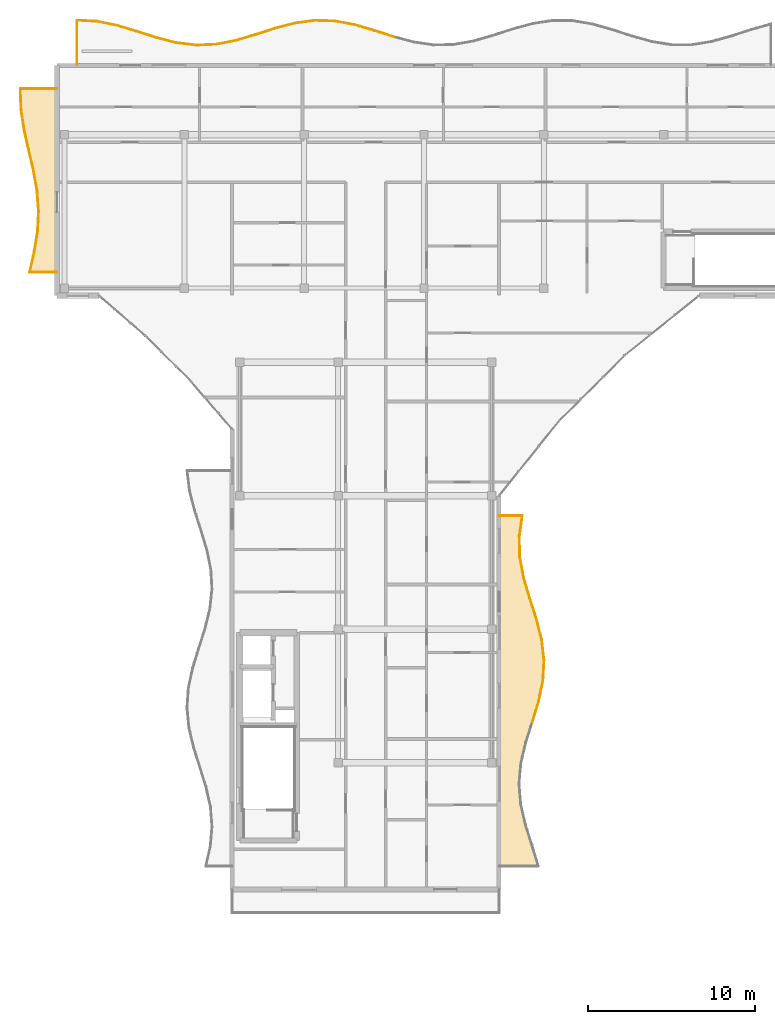
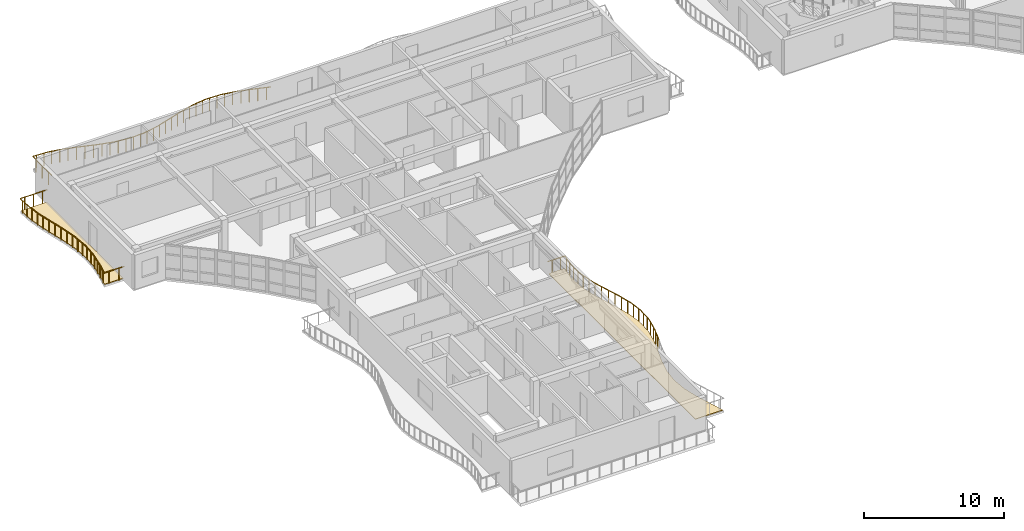
# One storey, part 24 of 30: 39 railings, 2 coverings.
"""IFC4 building model written with IfcOpenShell, lengths in metres."""

import ifcopenshell
import ifcopenshell.guid

model = None  # the IFC model being written
_history = None  # IfcOwnerHistory: only IFC2X3 demands one
_inside = {}  # id of a spatial element -> (the spatial element, [elements in it])
_under = {}  # id of a project, library or spatial element -> (it, [spatial elements below it])
_declared = {}  # id of a project -> (the project, [libraries it declares])
_typed = {}  # id of a type object -> (the type object, [elements of that type])
_made_of = {}  # id of a material, layer set ... -> (it, [elements and type objects made of it])


def new_model(schema):
    """Start an empty IFC model of exactly this schema.

    Asked for "IFC4X3", IfcOpenShell would pick the latest addendum, in which some entities
    have other attributes; the version numbers below select the first issue.
    IFC2X3 requires an IfcOwnerHistory on every rooted entity: one is made here for all.
    """
    global model, _history
    if schema == "IFC4X3":
        model = ifcopenshell.file(schema_version=(4, 3, 0, 0))
    else:
        model = ifcopenshell.file(schema=schema)
    _inside.clear()
    _under.clear()
    _declared.clear()
    _typed.clear()
    _made_of.clear()
    _history = None
    if model.schema == "IFC2X3":
        org = make("IfcOrganization", Name="unknown")
        user = make(
            "IfcPersonAndOrganization",
            ThePerson=make("IfcPerson", FamilyName="unknown"),
            TheOrganization=org,
        )
        app = make(
            "IfcApplication",
            ApplicationDeveloper=org,
            Version="unknown",
            ApplicationFullName="unknown",
            ApplicationIdentifier="unknown",
        )
        _history = make(
            "IfcOwnerHistory",
            OwningUser=user,
            OwningApplication=app,
            ChangeAction="ADDED",
            CreationDate=0,
        )
    return model


def make(cls, **values):
    """One entity of the class cls with the attributes given. An attribute that is None is left unset."""
    return model.create_entity(
        cls, **{name: value for name, value in values.items() if value is not None}
    )


def rooted(cls, **values):
    """An entity with a GlobalId (a new one), such as an element, a storey or a relation."""
    return make(cls, GlobalId=ifcopenshell.guid.new(), OwnerHistory=_history, **values)


def si_unit(unit_type, name, prefix=None):
    """IfcSIUnit, for example si_unit("LENGTHUNIT", "METRE", prefix="MILLI")."""
    return make("IfcSIUnit", UnitType=unit_type, Prefix=prefix, Name=name)


def assignment(units):
    """IfcUnitAssignment: the units of a project."""
    return None if units is None else make("IfcUnitAssignment", Units=units)


def point(xyz):
    """IfcCartesianPoint."""
    return None if xyz is None else make("IfcCartesianPoint", Coordinates=xyz)


def direction(xyz):
    """IfcDirection."""
    return None if xyz is None else make("IfcDirection", DirectionRatios=xyz)


def frame(location, z_axis=None, x_axis=None):
    """IfcAxis2Placement3D, a coordinate frame: its origin and axes. An axis left out is left unset."""
    return make(
        "IfcAxis2Placement3D",
        Location=point(location),
        Axis=direction(z_axis),
        RefDirection=direction(x_axis),
    )


def frame_2d(location, x_axis=None):
    """IfcAxis2Placement2D, a coordinate frame in the plane: its origin and x axis."""
    return make(
        "IfcAxis2Placement2D", Location=point(location), RefDirection=direction(x_axis)
    )


def origin():
    """The frame at (0, 0, 0) with its axes left unset."""
    return frame((0.0, 0.0, 0.0))


def origin_2d():
    """The frame at (0, 0) in the plane with its x axis left unset."""
    return frame_2d((0.0, 0.0))


def place(relative_to, where):
    """IfcLocalPlacement: puts the frame where relative to a parent placement (None: the world)."""
    return make(
        "IfcLocalPlacement", PlacementRelTo=relative_to, RelativePlacement=where
    )


def context(
    kind, dimensions, precision=None, world=None, true_north=None, identifier=None
):
    """IfcGeometricRepresentationContext, for example the 3D "Model" context."""
    return make(
        "IfcGeometricRepresentationContext",
        ContextIdentifier=identifier,
        ContextType=kind,
        CoordinateSpaceDimension=dimensions,
        Precision=precision,
        WorldCoordinateSystem=world,
        TrueNorth=true_north,
    )


def subcontext(parent, identifier, kind, view, scale=None):
    """IfcGeometricRepresentationSubContext, for example "Body" below "Model"."""
    return make(
        "IfcGeometricRepresentationSubContext",
        ContextIdentifier=identifier,
        ContextType=kind,
        ParentContext=parent,
        TargetScale=scale,
        TargetView=view,
    )


def project(units=None, contexts=None):
    """IfcProject with its units and contexts."""
    return rooted(
        "IfcProject",
        Name="project",
        RepresentationContexts=contexts,
        UnitsInContext=assignment(units),
    )


def spatial(cls, under=None, at=None, **own):
    """A site, building, storey or space (cls), placed at a placement, below another one or the project."""
    s = rooted(cls, ObjectPlacement=at, **own)
    if under is not None:
        _under.setdefault(under.id(), (under, []))[1].append(s)
    return s


def polyline(points):
    """IfcPolyline through the points."""
    return make("IfcPolyline", Points=[point(p) for p in points])


def profile(cls, at=None, kind="AREA", **sizes):
    """A parametric profile (cls). Its sizes go by their IFC names, for example OverallWidth=200.0."""
    return make(cls, ProfileType=kind, Position=at, **sizes)


def circle(**sizes):
    """IfcCircleProfileDef."""
    return profile("IfcCircleProfileDef", **sizes)


def outline(outer, holes=None, kind="AREA"):
    """IfcArbitraryClosedProfileDef: a profile drawn as a closed curve; with holes, ...WithVoids."""
    if holes is None:
        return make("IfcArbitraryClosedProfileDef", ProfileType=kind, OuterCurve=outer)
    return make(
        "IfcArbitraryProfileDefWithVoids",
        ProfileType=kind,
        OuterCurve=outer,
        InnerCurves=holes,
    )


def extrude(swept, where, along, depth):
    """IfcExtrudedAreaSolid: the profile swept, set in the frame where, extruded along a direction by depth."""
    return make(
        "IfcExtrudedAreaSolid",
        SweptArea=swept,
        Position=where,
        ExtrudedDirection=direction(along),
        Depth=depth,
    )


def shape(context_of_items, identifier, shape_type, items):
    """IfcShapeRepresentation: the items that make up one representation, for example the "Body"."""
    return make(
        "IfcShapeRepresentation",
        ContextOfItems=context_of_items,
        RepresentationIdentifier=identifier,
        RepresentationType=shape_type,
        Items=items,
    )


def material(Name=None, Category=None):
    """IfcMaterial."""
    return make("IfcMaterial", Name=Name, Category=Category)


def layer(
    of_material, thickness, ventilated=None, Name=None, Category=None, Priority=None
):
    """IfcMaterialLayer: one layer of a wall or slab, of a material (None: an air gap)."""
    return make(
        "IfcMaterialLayer",
        Material=of_material,
        LayerThickness=thickness,
        IsVentilated=ventilated,
        Name=Name,
        Category=Category,
        Priority=Priority,
    )


def layer_set(layers, Name=None):
    """IfcMaterialLayerSet."""
    return make("IfcMaterialLayerSet", MaterialLayers=layers, LayerSetName=Name)


def made_of(thing, what):
    """Note that an element or type object is made of a material, layer set ...; save() writes the relation."""
    if what is not None:
        _made_of.setdefault(what.id(), (what, []))[1].append(thing)
    return thing


def type_object(cls, material=None, **own):
    """A type object (cls), such as IfcWallType, which elements share."""
    return made_of(rooted(cls, **own), material)


def element(
    cls,
    number,
    at=None,
    inside=None,
    cuts=None,
    type_object=None,
    material=None,
    context=None,
    identifier="Body",
    shape_type=None,
    held_by="IfcProductDefinitionShape",
    body=None,
    shapes=None,
    **own,
):
    """One element of the class cls, such as IfcWall. Its Tag is "e" and its number.

    at: its placement. inside: the storey or other place that contains it. cuts: it is an
    opening in that element (IfcRelVoidsElement). A single representation is given by context,
    identifier, shape_type and body (its items); several are given by shapes. held_by: the class
    of the entity that holds the representations. save() writes the other relations.
    """
    e = rooted(cls, Tag="e%d" % number, ObjectPlacement=at, **own)
    if body is not None:
        shapes = [shape(context, identifier, shape_type, body)]
    if shapes is not None:
        e.Representation = make(held_by, Representations=shapes)
    if inside is not None:
        _inside.setdefault(inside.id(), (inside, []))[1].append(e)
    if cuts is not None:
        rooted(
            "IfcRelVoidsElement", RelatingBuildingElement=cuts, RelatedOpeningElement=e
        )
    if type_object is not None:
        _typed.setdefault(type_object.id(), (type_object, []))[1].append(e)
    return made_of(e, material)


def aggregate(whole, parts):
    """IfcRelAggregates: a whole, such as a stair, and the parts it consists of."""
    return rooted("IfcRelAggregates", RelatingObject=whole, RelatedObjects=parts)


def save(model, path):
    """Write the relations noted so far, then the file.

    IfcRelAggregates (storeys below a building ...), IfcRelContainedInSpatialStructure (elements
    in a storey), IfcRelDefinesByType, IfcRelAssociatesMaterial and IfcRelDeclares: one each for
    every whole, place, type object, material and project.
    """
    for whole, parts in _under.values():
        aggregate(whole, parts)
    for where, things in _inside.values():
        rooted(
            "IfcRelContainedInSpatialStructure",
            RelatedElements=things,
            RelatingStructure=where,
        )
    for kind, things in _typed.values():
        rooted("IfcRelDefinesByType", RelatedObjects=things, RelatingType=kind)
    for what, things in _made_of.values():
        rooted("IfcRelAssociatesMaterial", RelatedObjects=things, RelatingMaterial=what)
    for by, libraries in _declared.values():
        rooted("IfcRelDeclares", RelatingContext=by, RelatedDefinitions=libraries)
    model.write(path)


model = new_model("IFC4")

# Units and contexts
model_context = context("Model", 3, precision=1e-05, world=origin(), true_north=direction((0.0, 1.0)))
body_context = subcontext(model_context, "Body", "Model", "MODEL_VIEW")
ifc_project = project(units=[si_unit("LENGTHUNIT", "METRE"), si_unit("AREAUNIT", "SQUARE_METRE"), si_unit("VOLUMEUNIT", "CUBIC_METRE"), si_unit("PLANEANGLEUNIT", "RADIAN"), si_unit("MASSUNIT", "GRAM", prefix="KILO")], contexts=[model_context])

# Site, building, storey
site_placement = place(None, origin())
site = spatial("IfcSite", under=ifc_project, at=site_placement, CompositionType="ELEMENT")
building_placement = place(site_placement, origin())
building = spatial("IfcBuilding", under=site, at=building_placement, Name="Keldmere Railside Commons", CompositionType="ELEMENT")
storey_placement = place(building_placement, frame((0.0, 0.0, 36.159912109375)))
storey = spatial("IfcBuildingStorey", under=building, at=storey_placement, Name="L11", CompositionType="ELEMENT", Elevation=36.159912109375)

# Railings
ifc_material_1 = material(Name="Steel F-24 (S235)", Category="steel")
railing_type = type_object("IfcRailingType", Name="Balcony & Terrace Steel Balustrade 1100", PredefinedType="BALUSTRADE", material=ifc_material_1)
railing_1_placement = place(storey_placement, frame((94.699951171875, 113.800048828125, 0.0)))
element("IfcRailing", 1, at=railing_1_placement, inside=storey, type_object=railing_type, Name="GR-1 GRD-L11-3053", PredefinedType="BALUSTRADE", context=body_context, shape_type="SweptSolid", body=[
    extrude(circle(Radius=0.02392578125, at=origin_2d()), frame((0.0, 0.0, 1.076171875), z_axis=(0.0, 1.0, 0.0), x_axis=(-1.0, 0.0, 0.0)), (0.0, 0.0, 1.0), 2.69580078125),
    extrude(circle(Radius=0.02099609375, at=origin_2d()), frame((0.0, 0.44921875, 0.0)), (0.0, 0.0, 1.0), 1.048095703125),
    extrude(circle(Radius=0.02099609375, at=origin_2d()), frame((0.0, 1.347900390625, 0.0)), (0.0, 0.0, 1.0), 1.048095703125),
    extrude(circle(Radius=0.02099609375, at=origin_2d()), frame((0.0, 2.24658203125, 0.0)), (0.0, 0.0, 1.0), 1.048095703125),
])
railing_2_placement = place(storey_placement, frame((94.699951171875, 116.495849609375, 0.0)))
element("IfcRailing", 2, at=railing_2_placement, inside=storey, type_object=railing_type, Name="GR-1 GRD-L11-3054", PredefinedType="BALUSTRADE", context=body_context, shape_type="SweptSolid", body=[
    extrude(circle(Radius=0.02392578125, at=origin_2d()), frame((0.0, 0.0, 1.076171875), z_axis=(0.998746705706, -0.050050153254, 0.0), x_axis=(0.050050153254, 0.998746705706, 0.0)), (0.0, 0.0, 1.0), 1.190185546875),
    extrude(circle(Radius=0.02099609375, at=origin_2d()), frame((0.297119140625, -0.014892578125, 0.0)), (0.0, 0.0, 1.0), 1.048095703125),
    extrude(circle(Radius=0.02099609375, at=origin_2d()), frame((0.8916015625, -0.044677734375, 0.0)), (0.0, 0.0, 1.0), 1.048095703125),
])
railing_3_placement = place(storey_placement, frame((95.888671875, 116.436279296875, 0.0)))
element("IfcRailing", 3, at=railing_3_placement, inside=storey, type_object=railing_type, Name="GR-1 GRD-L11-3055", PredefinedType="BALUSTRADE", context=body_context, shape_type="SweptSolid", body=[
    extrude(circle(Radius=0.02392578125, at=origin_2d()), frame((0.0, 0.0, 1.076171875), z_axis=(0.980214991853, -0.197935771773, 0.0), x_axis=(0.197935771773, 0.980214991853, 0.0)), (0.0, 0.0, 1.0), 1.21240234375),
    extrude(circle(Radius=0.02099609375, at=origin_2d()), frame((0.297119140625, -0.06005859375, 0.0)), (0.0, 0.0, 1.0), 1.048095703125),
    extrude(circle(Radius=0.02099609375, at=origin_2d()), frame((0.891357421875, -0.179931640625, 0.0)), (0.0, 0.0, 1.0), 1.048095703125),
])
railing_4_placement = place(storey_placement, frame((97.0771484375, 116.1962890625, 0.0)))
element("IfcRailing", 4, at=railing_4_placement, inside=storey, type_object=railing_type, Name="GR-1 GRD-L11-3056", PredefinedType="BALUSTRADE", context=body_context, shape_type="SweptSolid", body=[
    extrude(circle(Radius=0.02392578125, at=origin_2d()), frame((0.0, 0.0, 1.076171875), z_axis=(0.95768539045, -0.287817117138, 0.0), x_axis=(0.287817117138, 0.95768539045, 0.0)), (0.0, 0.0, 1.0), 1.240966796875),
    extrude(circle(Radius=0.02099609375, at=origin_2d()), frame((0.297119140625, -0.08935546875, 0.0)), (0.0, 0.0, 1.0), 1.048095703125),
    extrude(circle(Radius=0.02099609375, at=origin_2d()), frame((0.891357421875, -0.267822265625, 0.0)), (0.0, 0.0, 1.0), 1.048095703125),
])
railing_5_placement = place(storey_placement, frame((98.265625, 115.839111328125, 0.0)))
element("IfcRailing", 5, at=railing_5_placement, inside=storey, type_object=railing_type, Name="GR-1 GRD-L11-3057", PredefinedType="BALUSTRADE", context=body_context, shape_type="SweptSolid", body=[
    extrude(circle(Radius=0.02392578125, at=origin_2d()), frame((0.0, 0.0, 1.076171875), z_axis=(0.952315079657, -0.30511635331, 0.0), x_axis=(0.30511635331, 0.952315079657, 0.0)), (0.0, 0.0, 1.0), 1.248291015625),
    extrude(circle(Radius=0.02099609375, at=origin_2d()), frame((0.297119140625, -0.09521484375, 0.0)), (0.0, 0.0, 1.0), 1.048095703125),
    extrude(circle(Radius=0.02099609375, at=origin_2d()), frame((0.8916015625, -0.28564453125, 0.0)), (0.0, 0.0, 1.0), 1.048095703125),
])
railing_6_placement = place(storey_placement, frame((99.454345703125, 115.458251953125, 0.0)))
element("IfcRailing", 6, at=railing_6_placement, inside=storey, type_object=railing_type, Name="GR-1 GRD-L11-3058", PredefinedType="BALUSTRADE", context=body_context, shape_type="SweptSolid", body=[
    extrude(circle(Radius=0.02392578125, at=origin_2d()), frame((0.0, 0.0, 1.076171875), z_axis=(0.968769359402, -0.247963562411, 0.0), x_axis=(0.247963562411, 0.968769359402, 0.0)), (0.0, 0.0, 1.0), 1.226806640625),
    extrude(circle(Radius=0.02099609375, at=origin_2d()), frame((0.297119140625, -0.076171875, 0.0)), (0.0, 0.0, 1.0), 1.048095703125),
    extrude(circle(Radius=0.02099609375, at=origin_2d()), frame((0.891357421875, -0.22802734375, 0.0)), (0.0, 0.0, 1.0), 1.048095703125),
])
railing_7_placement = place(storey_placement, frame((100.642822265625, 115.154052734375, 0.0)))
element("IfcRailing", 7, at=railing_7_placement, inside=storey, type_object=railing_type, Name="GR-1 GRD-L11-3059", PredefinedType="BALUSTRADE", context=body_context, shape_type="SweptSolid", body=[
    extrude(circle(Radius=0.02392578125, at=origin_2d()), frame((0.0, 0.0, 1.076171875), z_axis=(0.992390372667, -0.123131426683, 0.0), x_axis=(0.123131426683, 0.992390372667, 0.0)), (0.0, 0.0, 1.0), 1.197509765625),
    extrude(circle(Radius=0.02099609375, at=origin_2d()), frame((0.297119140625, -0.036865234375, 0.0)), (0.0, 0.0, 1.0), 1.048095703125),
    extrude(circle(Radius=0.02099609375, at=origin_2d()), frame((0.891357421875, -0.110595703125, 0.0)), (0.0, 0.0, 1.0), 1.048095703125),
])
railing_8_placement = place(storey_placement, frame((101.831298828125, 115.006591796875, 0.0)))
element("IfcRailing", 8, at=railing_8_placement, inside=storey, type_object=railing_type, Name="GR-1 GRD-L11-3060", PredefinedType="BALUSTRADE", context=body_context, shape_type="SweptSolid", body=[
    extrude(circle(Radius=0.02392578125, at=origin_2d()), frame((0.0, 0.0, 1.076171875), z_axis=(0.999182495603, 0.040426977128, 0.0), x_axis=(-0.040426977128, 0.999182495603, 0.0)), (0.0, 0.0, 1.0), 1.189697265625),
    extrude(circle(Radius=0.02099609375, at=origin_2d()), frame((0.297119140625, 0.011962890625, 0.0)), (0.0, 0.0, 1.0), 1.048095703125),
    extrude(circle(Radius=0.02099609375, at=origin_2d()), frame((0.8916015625, 0.0361328125, 0.0)), (0.0, 0.0, 1.0), 1.048095703125),
])
railing_9_placement = place(storey_placement, frame((103.02001953125, 115.0546875, 0.0)))
element("IfcRailing", 9, at=railing_9_placement, inside=storey, type_object=railing_type, Name="GR-1 GRD-L11-3061", PredefinedType="BALUSTRADE", context=body_context, shape_type="SweptSolid", body=[
    extrude(circle(Radius=0.02392578125, at=origin_2d()), frame((0.0, 0.0, 1.076171875), z_axis=(0.981598594772, 0.190956012582, 0.0), x_axis=(-0.190956012582, 0.981598594772, 0.0)), (0.0, 0.0, 1.0), 1.210693359375),
    extrude(circle(Radius=0.02099609375, at=origin_2d()), frame((0.297119140625, 0.057861328125, 0.0)), (0.0, 0.0, 1.0), 1.048095703125),
    extrude(circle(Radius=0.02099609375, at=origin_2d()), frame((0.891357421875, 0.17333984375, 0.0)), (0.0, 0.0, 1.0), 1.048095703125),
])
railing_10_placement = place(storey_placement, frame((104.20849609375, 115.285888671875, 0.0)))
element("IfcRailing", 10, at=railing_10_placement, inside=storey, type_object=railing_type, Name="GR-1 GRD-L11-3062", PredefinedType="BALUSTRADE", context=body_context, shape_type="SweptSolid", body=[
    extrude(circle(Radius=0.02392578125, at=origin_2d()), frame((0.0, 0.0, 1.076171875), z_axis=(0.958619164834, 0.284691581916, 0.0), x_axis=(-0.284691581916, 0.958619164834, 0.0)), (0.0, 0.0, 1.0), 1.239990234375),
    extrude(circle(Radius=0.02099609375, at=origin_2d()), frame((0.297119140625, 0.08837890625, 0.0)), (0.0, 0.0, 1.0), 1.048095703125),
    extrude(circle(Radius=0.02099609375, at=origin_2d()), frame((0.8916015625, 0.2646484375, 0.0)), (0.0, 0.0, 1.0), 1.048095703125),
])
railing_11_placement = place(storey_placement, frame((105.397216796875, 115.638916015625, 0.0)))
element("IfcRailing", 11, at=railing_11_placement, inside=storey, type_object=railing_type, Name="GR-1 GRD-L11-3063", PredefinedType="BALUSTRADE", context=body_context, shape_type="SweptSolid", body=[
    extrude(circle(Radius=0.02392578125, at=origin_2d()), frame((0.0, 0.0, 1.076171875), z_axis=(0.952012281664, 0.306059823501, 0.0), x_axis=(-0.306059823501, 0.952012281664, 0.0)), (0.0, 0.0, 1.0), 1.248291015625),
    extrude(circle(Radius=0.02099609375, at=origin_2d()), frame((0.297119140625, 0.095458984375, 0.0)), (0.0, 0.0, 1.0), 1.048095703125),
    extrude(circle(Radius=0.02099609375, at=origin_2d()), frame((0.891357421875, 0.28662109375, 0.0)), (0.0, 0.0, 1.0), 1.048095703125),
])
railing_12_placement = place(storey_placement, frame((106.585693359375, 116.02099609375, 0.0)))
element("IfcRailing", 12, at=railing_12_placement, inside=storey, type_object=railing_type, Name="GR-1 GRD-L11-3064", PredefinedType="BALUSTRADE", context=body_context, shape_type="SweptSolid", body=[
    extrude(circle(Radius=0.02392578125, at=origin_2d()), frame((0.0, 0.0, 1.076171875), z_axis=(0.9674313303, 0.253133603369, 0.0), x_axis=(-0.253133603369, 0.9674313303, 0.0)), (0.0, 0.0, 1.0), 1.228759765625),
    extrude(circle(Radius=0.02099609375, at=origin_2d()), frame((0.297119140625, 0.07763671875, 0.0)), (0.0, 0.0, 1.0), 1.048095703125),
    extrude(circle(Radius=0.02099609375, at=origin_2d()), frame((0.8916015625, 0.2333984375, 0.0)), (0.0, 0.0, 1.0), 1.048095703125),
])
railing_13_placement = place(storey_placement, frame((107.7744140625, 116.33203125, 0.0)))
element("IfcRailing", 13, at=railing_13_placement, inside=storey, type_object=railing_type, Name="GR-1 GRD-L11-3065", PredefinedType="BALUSTRADE", context=body_context, shape_type="SweptSolid", body=[
    extrude(circle(Radius=0.02392578125, at=origin_2d()), frame((0.0, 0.0, 1.076171875), z_axis=(0.991282946379, 0.131750219044, 0.0), x_axis=(-0.131750219044, 0.991282946379, 0.0)), (0.0, 0.0, 1.0), 1.198974609375),
    extrude(circle(Radius=0.02099609375, at=origin_2d()), frame((0.297119140625, 0.03955078125, 0.0)), (0.0, 0.0, 1.0), 1.048095703125),
    extrude(circle(Radius=0.02099609375, at=origin_2d()), frame((0.891357421875, 0.118408203125, 0.0)), (0.0, 0.0, 1.0), 1.048095703125),
])
railing_14_placement = place(storey_placement, frame((108.962890625, 116.489990234375, 0.0)))
element("IfcRailing", 14, at=railing_14_placement, inside=storey, type_object=railing_type, Name="GR-1 GRD-L11-3066", PredefinedType="BALUSTRADE", context=body_context, shape_type="SweptSolid", body=[
    extrude(circle(Radius=0.02392578125, at=origin_2d()), frame((0.0, 0.0, 1.076171875), z_axis=(0.999525602649, -0.030798857929, 0.0), x_axis=(0.030798857929, 0.999525602649, 0.0)), (0.0, 0.0, 1.0), 1.18896484375),
    extrude(circle(Radius=0.02099609375, at=origin_2d()), frame((0.297119140625, -0.00927734375, 0.0)), (0.0, 0.0, 1.0), 1.048095703125),
    extrude(circle(Radius=0.02099609375, at=origin_2d()), frame((0.891357421875, -0.02734375, 0.0)), (0.0, 0.0, 1.0), 1.048095703125),
])
railing_15_placement = place(storey_placement, frame((110.1513671875, 116.453369140625, 0.0)))
element("IfcRailing", 15, at=railing_15_placement, inside=storey, type_object=railing_type, Name="GR-1 GRD-L11-3067", PredefinedType="BALUSTRADE", context=body_context, shape_type="SweptSolid", body=[
    extrude(circle(Radius=0.02392578125, at=origin_2d()), frame((0.0, 0.0, 1.076171875), z_axis=(0.983052282531, -0.183325420525, 0.0), x_axis=(0.183325420525, 0.983052282531, 0.0)), (0.0, 0.0, 1.0), 1.209228515625),
    extrude(circle(Radius=0.02099609375, at=origin_2d()), frame((0.297119140625, -0.055419921875, 0.0)), (0.0, 0.0, 1.0), 1.048095703125),
    extrude(circle(Radius=0.02099609375, at=origin_2d()), frame((0.8916015625, -0.166259765625, 0.0)), (0.0, 0.0, 1.0), 1.048095703125),
])
railing_16_placement = place(storey_placement, frame((111.340087890625, 116.231689453125, 0.0)))
element("IfcRailing", 16, at=railing_16_placement, inside=storey, type_object=railing_type, Name="GR-1 GRD-L11-3068", PredefinedType="BALUSTRADE", context=body_context, shape_type="SweptSolid", body=[
    extrude(circle(Radius=0.02392578125, at=origin_2d()), frame((0.0, 0.0, 1.076171875), z_axis=(0.959619369608, -0.28130173386, 0.0), x_axis=(0.28130173386, 0.959619369608, 0.0)), (0.0, 0.0, 1.0), 1.238525390625),
    extrude(circle(Radius=0.02099609375, at=origin_2d()), frame((0.297119140625, -0.087158203125, 0.0)), (0.0, 0.0, 1.0), 1.048095703125),
    extrude(circle(Radius=0.02099609375, at=origin_2d()), frame((0.891357421875, -0.26123046875, 0.0)), (0.0, 0.0, 1.0), 1.048095703125),
])
railing_17_placement = place(storey_placement, frame((112.528564453125, 115.88330078125, 0.0)))
element("IfcRailing", 17, at=railing_17_placement, inside=storey, type_object=railing_type, Name="GR-1 GRD-L11-3069", PredefinedType="BALUSTRADE", context=body_context, shape_type="SweptSolid", body=[
    extrude(circle(Radius=0.02392578125, at=origin_2d()), frame((0.0, 0.0, 1.076171875), z_axis=(0.951727042699, -0.306945656746, 0.0), x_axis=(0.306945656746, 0.951727042699, 0.0)), (0.0, 0.0, 1.0), 1.248779296875),
    extrude(circle(Radius=0.02099609375, at=origin_2d()), frame((0.297119140625, -0.095703125, 0.0)), (0.0, 0.0, 1.0), 1.048095703125),
    extrude(circle(Radius=0.02099609375, at=origin_2d()), frame((0.891357421875, -0.28759765625, 0.0)), (0.0, 0.0, 1.0), 1.048095703125),
])
railing_18_placement = place(storey_placement, frame((121.992431640625, 74.447021484375, 0.0)))
element("IfcRailing", 18, at=railing_18_placement, inside=storey, type_object=railing_type, Name="GR-1 GRD-L11-3098", PredefinedType="BALUSTRADE", context=body_context, shape_type="SweptSolid", body=[
    extrude(circle(Radius=0.02392578125, at=origin_2d()), frame((0.0, 0.0, 1.076171875), z_axis=(0.292890564169, 0.956145970771, 0.0), x_axis=(-0.956145970771, 0.292890564169, 0.0)), (0.0, 0.0, 1.0), 1.2919921875),
    extrude(circle(Radius=0.02099609375, at=origin_2d()), frame((0.0947265625, 0.308837890625, 0.0)), (0.0, 0.0, 1.0), 1.048095703125),
    extrude(circle(Radius=0.02099609375, at=origin_2d()), frame((0.28369140625, 0.926513671875, 0.0)), (0.0, 0.0, 1.0), 1.048095703125),
])
railing_19_placement = place(storey_placement, frame((122.370849609375, 75.682373046875, 0.0)))
element("IfcRailing", 19, at=railing_19_placement, inside=storey, type_object=railing_type, Name="GR-1 GRD-L11-3099", PredefinedType="BALUSTRADE", context=body_context, shape_type="SweptSolid", body=[
    extrude(circle(Radius=0.02392578125, at=origin_2d()), frame((0.0, 0.0, 1.076171875), z_axis=(0.20525967752, 0.978707548139, 0.0), x_axis=(-0.978707548139, 0.20525967752, 0.0)), (0.0, 0.0, 1.0), 1.261962890625),
    extrude(circle(Radius=0.02099609375, at=origin_2d()), frame((0.064697265625, 0.308837890625, 0.0)), (0.0, 0.0, 1.0), 1.048095703125),
    extrude(circle(Radius=0.02099609375, at=origin_2d()), frame((0.1943359375, 0.92626953125, 0.0)), (0.0, 0.0, 1.0), 1.048095703125),
])
railing_20_placement = place(storey_placement, frame((122.6298828125, 76.91748046875, 0.0)))
element("IfcRailing", 20, at=railing_20_placement, inside=storey, type_object=railing_type, Name="GR-1 GRD-L11-3100", PredefinedType="BALUSTRADE", context=body_context, shape_type="SweptSolid", body=[
    extrude(circle(Radius=0.02392578125, at=origin_2d()), frame((0.0, 0.0, 1.076171875), z_axis=(0.053480665589, 0.998568885159, 0.0), x_axis=(-0.998568885159, 0.053480665589, 0.0)), (0.0, 0.0, 1.0), 1.237060546875),
    extrude(circle(Radius=0.02099609375, at=origin_2d()), frame((0.0166015625, 0.308837890625, 0.0)), (0.0, 0.0, 1.0), 1.048095703125),
    extrude(circle(Radius=0.02099609375, at=origin_2d()), frame((0.049560546875, 0.926513671875, 0.0)), (0.0, 0.0, 1.0), 1.048095703125),
])
railing_21_placement = place(storey_placement, frame((122.696044921875, 78.15283203125, 0.0)))
element("IfcRailing", 21, at=railing_21_placement, inside=storey, type_object=railing_type, Name="GR-1 GRD-L11-3101", PredefinedType="BALUSTRADE", context=body_context, shape_type="SweptSolid", body=[
    extrude(circle(Radius=0.02392578125, at=origin_2d()), frame((0.0, 0.0, 1.076171875), z_axis=(-0.116784307196, 0.993157301535, 0.0), x_axis=(-0.993157301535, -0.116784307196, 0.0)), (0.0, 0.0, 1.0), 1.243896484375),
    extrude(circle(Radius=0.02099609375, at=origin_2d()), frame((-0.036376953125, 0.308837890625, 0.0)), (0.0, 0.0, 1.0), 1.048095703125),
    extrude(circle(Radius=0.02099609375, at=origin_2d()), frame((-0.10888671875, 0.926513671875, 0.0)), (0.0, 0.0, 1.0), 1.048095703125),
])
railing_22_placement = place(storey_placement, frame((122.55078125, 79.38818359375, 0.0)))
element("IfcRailing", 22, at=railing_22_placement, inside=storey, type_object=railing_type, Name="GR-1 GRD-L11-3102", PredefinedType="BALUSTRADE", context=body_context, shape_type="SweptSolid", body=[
    extrude(circle(Radius=0.02392578125, at=origin_2d()), frame((0.0, 0.0, 1.076171875), z_axis=(-0.24757829663, 0.968867889363, 0.0), x_axis=(-0.968867889363, -0.24757829663, 0.0)), (0.0, 0.0, 1.0), 1.275146484375),
    extrude(circle(Radius=0.02099609375, at=origin_2d()), frame((-0.078857421875, 0.308837890625, 0.0)), (0.0, 0.0, 1.0), 1.048095703125),
    extrude(circle(Radius=0.02099609375, at=origin_2d()), frame((-0.23681640625, 0.926513671875, 0.0)), (0.0, 0.0, 1.0), 1.048095703125),
])
railing_23_placement = place(storey_placement, frame((122.235107421875, 80.62353515625, 0.0)))
element("IfcRailing", 23, at=railing_23_placement, inside=storey, type_object=railing_type, Name="GR-1 GRD-L11-3103", PredefinedType="BALUSTRADE", context=body_context, shape_type="SweptSolid", body=[
    extrude(circle(Radius=0.02392578125, at=origin_2d()), frame((0.0, 0.0, 1.076171875), z_axis=(-0.305594950601, 0.952161607169, 0.0), x_axis=(-0.952161607169, -0.305594950601, 0.0)), (0.0, 0.0, 1.0), 1.29736328125),
    extrude(circle(Radius=0.02099609375, at=origin_2d()), frame((-0.09912109375, 0.308837890625, 0.0)), (0.0, 0.0, 1.0), 1.048095703125),
    extrude(circle(Radius=0.02099609375, at=origin_2d()), frame((-0.29736328125, 0.926513671875, 0.0)), (0.0, 0.0, 1.0), 1.048095703125),
])
railing_24_placement = place(storey_placement, frame((121.838623046875, 81.85888671875, 0.0)))
element("IfcRailing", 24, at=railing_24_placement, inside=storey, type_object=railing_type, Name="GR-1 GRD-L11-3104", PredefinedType="BALUSTRADE", context=body_context, shape_type="SweptSolid", body=[
    extrude(circle(Radius=0.02392578125, at=origin_2d()), frame((0.0, 0.0, 1.076171875), z_axis=(-0.28339765149, 0.959002487551, 0.0), x_axis=(-0.959002487551, -0.28339765149, 0.0)), (0.0, 0.0, 1.0), 1.287841796875),
    extrude(circle(Radius=0.02099609375, at=origin_2d()), frame((-0.09130859375, 0.308837890625, 0.0)), (0.0, 0.0, 1.0), 1.048095703125),
    extrude(circle(Radius=0.02099609375, at=origin_2d()), frame((-0.273681640625, 0.92626953125, 0.0)), (0.0, 0.0, 1.0), 1.048095703125),
])
railing_25_placement = place(storey_placement, frame((121.4736328125, 83.093994140625, 0.0)))
element("IfcRailing", 25, at=railing_25_placement, inside=storey, type_object=railing_type, Name="GR-1 GRD-L11-3105", PredefinedType="BALUSTRADE", context=body_context, shape_type="SweptSolid", body=[
    extrude(circle(Radius=0.02392578125, at=origin_2d()), frame((0.0, 0.0, 1.076171875), z_axis=(-0.182833670362, 0.983143859759, 0.0), x_axis=(-0.983143859759, -0.182833670362, 0.0)), (0.0, 0.0, 1.0), 1.256591796875),
    extrude(circle(Radius=0.02099609375, at=origin_2d()), frame((-0.057373046875, 0.308837890625, 0.0)), (0.0, 0.0, 1.0), 1.048095703125),
    extrude(circle(Radius=0.02099609375, at=origin_2d()), frame((-0.17236328125, 0.926513671875, 0.0)), (0.0, 0.0, 1.0), 1.048095703125),
])
railing_26_placement = place(storey_placement, frame((121.243896484375, 84.329345703125, 0.0)))
element("IfcRailing", 26, at=railing_26_placement, inside=storey, type_object=railing_type, Name="GR-1 GRD-L11-3106", PredefinedType="BALUSTRADE", context=body_context, shape_type="SweptSolid", body=[
    extrude(circle(Radius=0.02392578125, at=origin_2d()), frame((0.0, 0.0, 1.076171875), z_axis=(-0.024103666929, 0.999709464415, 0.0), x_axis=(-0.999709464415, -0.024103666929, 0.0)), (0.0, 0.0, 1.0), 1.235595703125),
    extrude(circle(Radius=0.02099609375, at=origin_2d()), frame((-0.00732421875, 0.308837890625, 0.0)), (0.0, 0.0, 1.0), 1.048095703125),
    extrude(circle(Radius=0.02099609375, at=origin_2d()), frame((-0.0224609375, 0.926513671875, 0.0)), (0.0, 0.0, 1.0), 1.048095703125),
])
railing_27_placement = place(storey_placement, frame((121.214111328125, 85.564697265625, 0.0)))
element("IfcRailing", 27, at=railing_27_placement, inside=storey, type_object=railing_type, Name="GR-1 GRD-L11-3107", PredefinedType="BALUSTRADE", context=body_context, shape_type="SweptSolid", body=[
    extrude(circle(Radius=0.02392578125, at=origin_2d()), frame((0.0, 0.0, 1.076171875), z_axis=(0.14355677643, 0.989642082746, 0.0), x_axis=(-0.989642082746, 0.14355677643, 0.0)), (0.0, 0.0, 1.0), 1.248291015625),
    extrude(circle(Radius=0.02099609375, at=origin_2d()), frame((0.044921875, 0.308837890625, 0.0)), (0.0, 0.0, 1.0), 1.048095703125),
    extrude(circle(Radius=0.02099609375, at=origin_2d()), frame((0.13427734375, 0.926513671875, 0.0)), (0.0, 0.0, 1.0), 1.048095703125),
])
railing_28_placement = place(storey_placement, frame((121.393310546875, 86.800048828125, 0.0)))
element("IfcRailing", 28, at=railing_28_placement, inside=storey, type_object=railing_type, Name="GR-1 GRD-L11-3108", PredefinedType="BALUSTRADE", context=body_context, shape_type="SweptSolid", body=[
    extrude(circle(Radius=0.02392578125, at=origin_2d()), frame((0.0, 0.0, 1.076171875), z_axis=(-1.0, 0.0, 0.0), x_axis=(0.0, -1.0, 0.0)), (0.0, 0.0, 1.0), 1.393310546875),
    extrude(circle(Radius=0.02099609375, at=origin_2d()), frame((-0.348388671875, 0.0, 0.0)), (0.0, 0.0, 1.0), 1.048095703125),
    extrude(circle(Radius=0.02099609375, at=origin_2d()), frame((-1.044921875, 0.0, 0.0)), (0.0, 0.0, 1.0), 1.048095703125),
])
railing_29_placement = place(storey_placement, frame((93.5, 101.39990234375, 0.0)))
element("IfcRailing", 29, at=railing_29_placement, inside=storey, type_object=railing_type, Name="GR-1 GRD-L11-3142", PredefinedType="BALUSTRADE", context=body_context, shape_type="SweptSolid", body=[
    extrude(circle(Radius=0.02392578125, at=origin_2d()), frame((0.0, 0.0, 1.076171875), z_axis=(-1.0, 0.0, 0.0), x_axis=(0.0, -1.0, 0.0)), (0.0, 0.0, 1.0), 1.635986328125),
    extrude(circle(Radius=0.02099609375, at=origin_2d()), frame((-0.408935546875, 0.0, 0.0)), (0.0, 0.0, 1.0), 1.048095703125),
    extrude(circle(Radius=0.02099609375, at=origin_2d()), frame((-1.22705078125, 0.0, 0.0)), (0.0, 0.0, 1.0), 1.048095703125),
])
railing_30_placement = place(storey_placement, frame((91.864013671875, 101.39990234375, 0.0)))
element("IfcRailing", 30, at=railing_30_placement, inside=storey, type_object=railing_type, Name="GR-1 GRD-L11-3143", PredefinedType="BALUSTRADE", context=body_context, shape_type="SweptSolid", body=[
    extrude(circle(Radius=0.02392578125, at=origin_2d()), frame((0.0, 0.0, 1.076171875), z_axis=(0.221444321922, 0.975173016592, 0.0), x_axis=(-0.975173016592, 0.221444321922, 0.0)), (0.0, 0.0, 1.0), 1.25341796875),
    extrude(circle(Radius=0.02099609375, at=origin_2d()), frame((0.0693359375, 0.3056640625, 0.0)), (0.0, 0.0, 1.0), 1.048095703125),
    extrude(circle(Radius=0.02099609375, at=origin_2d()), frame((0.208251953125, 0.916748046875, 0.0)), (0.0, 0.0, 1.0), 1.048095703125),
])
railing_31_placement = place(storey_placement, frame((92.1416015625, 102.622314453125, 0.0)))
element("IfcRailing", 31, at=railing_31_placement, inside=storey, type_object=railing_type, Name="GR-1 GRD-L11-3144", PredefinedType="BALUSTRADE", context=body_context, shape_type="SweptSolid", body=[
    extrude(circle(Radius=0.02392578125, at=origin_2d()), frame((0.0, 0.0, 1.076171875), z_axis=(0.158767358593, 0.987316021264, 0.0), x_axis=(-0.987316021264, 0.158767358593, 0.0)), (0.0, 0.0, 1.0), 1.23779296875),
    extrude(circle(Radius=0.02099609375, at=origin_2d()), frame((0.049072265625, 0.3056640625, 0.0)), (0.0, 0.0, 1.0), 1.048095703125),
    extrude(circle(Radius=0.02099609375, at=origin_2d()), frame((0.1474609375, 0.91650390625, 0.0)), (0.0, 0.0, 1.0), 1.048095703125),
])
railing_32_placement = place(storey_placement, frame((92.338134765625, 103.844482421875, 0.0)))
element("IfcRailing", 32, at=railing_32_placement, inside=storey, type_object=railing_type, Name="GR-1 GRD-L11-3145", PredefinedType="BALUSTRADE", context=body_context, shape_type="SweptSolid", body=[
    extrude(circle(Radius=0.02392578125, at=origin_2d()), frame((0.0, 0.0, 1.076171875), z_axis=(0.04987791262, 0.998755322305, 0.0), x_axis=(-0.998755322305, 0.04987791262, 0.0)), (0.0, 0.0, 1.0), 1.2236328125),
    extrude(circle(Radius=0.02099609375, at=origin_2d()), frame((0.01513671875, 0.3056640625, 0.0)), (0.0, 0.0, 1.0), 1.048095703125),
    extrude(circle(Radius=0.02099609375, at=origin_2d()), frame((0.0458984375, 0.91650390625, 0.0)), (0.0, 0.0, 1.0), 1.048095703125),
])
railing_33_placement = place(storey_placement, frame((92.399169921875, 105.066650390625, 0.0)))
element("IfcRailing", 33, at=railing_33_placement, inside=storey, type_object=railing_type, Name="GR-1 GRD-L11-3146", PredefinedType="BALUSTRADE", context=body_context, shape_type="SweptSolid", body=[
    extrude(circle(Radius=0.02392578125, at=origin_2d()), frame((0.0, 0.0, 1.076171875), z_axis=(-0.074700808383, 0.997205991371, 0.0), x_axis=(-0.997205991371, -0.074700808383, 0.0)), (0.0, 0.0, 1.0), 1.2255859375),
    extrude(circle(Radius=0.02099609375, at=origin_2d()), frame((-0.02294921875, 0.3056640625, 0.0)), (0.0, 0.0, 1.0), 1.048095703125),
    extrude(circle(Radius=0.02099609375, at=origin_2d()), frame((-0.068603515625, 0.91650390625, 0.0)), (0.0, 0.0, 1.0), 1.048095703125),
])
railing_34_placement = place(storey_placement, frame((92.3076171875, 106.288818359375, 0.0)))
element("IfcRailing", 34, at=railing_34_placement, inside=storey, type_object=railing_type, Name="GR-1 GRD-L11-3147", PredefinedType="BALUSTRADE", context=body_context, shape_type="SweptSolid", body=[
    extrude(circle(Radius=0.02392578125, at=origin_2d()), frame((0.0, 0.0, 1.076171875), z_axis=(-0.175994812068, 0.984391094091, 0.0), x_axis=(-0.984391094091, -0.175994812068, 0.0)), (0.0, 0.0, 1.0), 1.241455078125),
    extrude(circle(Radius=0.02099609375, at=origin_2d()), frame((-0.0546875, 0.3056640625, 0.0)), (0.0, 0.0, 1.0), 1.048095703125),
    extrude(circle(Radius=0.02099609375, at=origin_2d()), frame((-0.163818359375, 0.91650390625, 0.0)), (0.0, 0.0, 1.0), 1.048095703125),
])
railing_35_placement = place(storey_placement, frame((92.089111328125, 107.510986328125, 0.0)))
element("IfcRailing", 35, at=railing_35_placement, inside=storey, type_object=railing_type, Name="GR-1 GRD-L11-3148", PredefinedType="BALUSTRADE", context=body_context, shape_type="SweptSolid", body=[
    extrude(circle(Radius=0.02392578125, at=origin_2d()), frame((0.0, 0.0, 1.076171875), z_axis=(-0.226989805422, 0.973897134319, 0.0), x_axis=(-0.973897134319, -0.226989805422, 0.0)), (0.0, 0.0, 1.0), 1.255126953125),
    extrude(circle(Radius=0.02099609375, at=origin_2d()), frame((-0.0712890625, 0.3056640625, 0.0)), (0.0, 0.0, 1.0), 1.048095703125),
    extrude(circle(Radius=0.02099609375, at=origin_2d()), frame((-0.213623046875, 0.916748046875, 0.0)), (0.0, 0.0, 1.0), 1.048095703125),
])
railing_36_placement = place(storey_placement, frame((91.80419921875, 108.7333984375, 0.0)))
element("IfcRailing", 36, at=railing_36_placement, inside=storey, type_object=railing_type, Name="GR-1 GRD-L11-3149", PredefinedType="BALUSTRADE", context=body_context, shape_type="SweptSolid", body=[
    extrude(circle(Radius=0.02392578125, at=origin_2d()), frame((0.0, 0.0, 1.076171875), z_axis=(-0.217405271418, 0.976081424861, 0.0), x_axis=(-0.976081424861, -0.217405271418, 0.0)), (0.0, 0.0, 1.0), 1.252197265625),
    extrude(circle(Radius=0.02099609375, at=origin_2d()), frame((-0.068115234375, 0.3056640625, 0.0)), (0.0, 0.0, 1.0), 1.048095703125),
    extrude(circle(Radius=0.02099609375, at=origin_2d()), frame((-0.2041015625, 0.91650390625, 0.0)), (0.0, 0.0, 1.0), 1.048095703125),
])
railing_37_placement = place(storey_placement, frame((91.531982421875, 109.95556640625, 0.0)))
element("IfcRailing", 37, at=railing_37_placement, inside=storey, type_object=railing_type, Name="GR-1 GRD-L11-3150", PredefinedType="BALUSTRADE", context=body_context, shape_type="SweptSolid", body=[
    extrude(circle(Radius=0.02392578125, at=origin_2d()), frame((0.0, 0.0, 1.076171875), z_axis=(-0.148939300949, 0.988846340254, 0.0), x_axis=(-0.988846340254, -0.148939300949, 0.0)), (0.0, 0.0, 1.0), 1.23583984375),
    extrude(circle(Radius=0.02099609375, at=origin_2d()), frame((-0.0458984375, 0.3056640625, 0.0)), (0.0, 0.0, 1.0), 1.048095703125),
    extrude(circle(Radius=0.02099609375, at=origin_2d()), frame((-0.13818359375, 0.91650390625, 0.0)), (0.0, 0.0, 1.0), 1.048095703125),
])
railing_38_placement = place(storey_placement, frame((91.347900390625, 111.177734375, 0.0)))
element("IfcRailing", 38, at=railing_38_placement, inside=storey, type_object=railing_type, Name="GR-1 GRD-L11-3151", PredefinedType="BALUSTRADE", context=body_context, shape_type="SweptSolid", body=[
    extrude(circle(Radius=0.02392578125, at=origin_2d()), frame((0.0, 0.0, 1.076171875), z_axis=(-0.036332368478, 0.999339761543, 0.0), x_axis=(-0.999339761543, -0.036332368478, 0.0)), (0.0, 0.0, 1.0), 1.222900390625),
    extrude(circle(Radius=0.02099609375, at=origin_2d()), frame((-0.01123046875, 0.3056640625, 0.0)), (0.0, 0.0, 1.0), 1.048095703125),
    extrude(circle(Radius=0.02099609375, at=origin_2d()), frame((-0.033203125, 0.91650390625, 0.0)), (0.0, 0.0, 1.0), 1.048095703125),
])
railing_39_placement = place(storey_placement, frame((91.303466796875, 112.39990234375, 0.0)))
element("IfcRailing", 39, at=railing_39_placement, inside=storey, type_object=railing_type, Name="GR-1 GRD-L11-3152", PredefinedType="BALUSTRADE", context=body_context, shape_type="SweptSolid", body=[
    extrude(circle(Radius=0.02392578125, at=origin_2d()), frame((0.0, 0.0, 1.076171875), z_axis=(1.0, 0.0, 0.0), x_axis=(0.0, 1.0, 0.0)), (0.0, 0.0, 1.0), 2.196533203125),
    extrude(circle(Radius=0.02099609375, at=origin_2d()), frame((0.3662109375, 0.0, 0.0)), (0.0, 0.0, 1.0), 1.048095703125),
    extrude(circle(Radius=0.02099609375, at=origin_2d()), frame((1.09814453125, 0.0, 0.0)), (0.0, 0.0, 1.0), 1.048095703125),
    extrude(circle(Radius=0.02099609375, at=origin_2d()), frame((1.83056640625, 0.0, 0.0)), (0.0, 0.0, 1.0), 1.048095703125),
])

# Coverings
ifc_material_2 = material(Name="White Precast Concrete C35/45", Category="concrete")
ifc_layer = layer(ifc_material_2, 0.044921875, Name="White Architectural Balcony Ribbon Cladding 45")
ifc_layer_set = layer_set([ifc_layer], Name="White Precast Concrete C35/45")
covering_type = type_object("IfcCoveringType", Name="White Architectural Balcony Ribbon Cladding 45", PredefinedType="FLOORING", material=ifc_layer_set)
covering_1_placement = place(storey_placement, origin())
element("IfcCovering", 40, at=covering_1_placement, inside=storey, type_object=covering_type, Name="CLG-WB B L11 CE White Balcony Ribbon", PredefinedType="FLOORING", context=body_context, shape_type="SweptSolid", body=[
    extrude(outline(polyline([(121.938720703125, 67.0234375), (121.550048828125, 68.258544921875), (121.54931640625, 68.26171875), (121.263427734375, 69.496826171875), (121.262451171875, 69.502685546875), (121.16015625, 70.73779296875), (121.159912109375, 70.7412109375), (121.16015625, 70.744873046875), (121.2705078125, 71.97998046875), (121.271484375, 71.985595703125), (121.563232421875, 73.220947265625), (121.56396484375, 73.223876953125), (121.954345703125, 74.458984375), (122.33203125, 75.6923828125), (122.590087890625, 76.9228515625), (122.656005859375, 78.151611328125), (122.511474609375, 79.380859375), (122.196533203125, 80.6123046875), (121.800537109375, 81.8466796875), (121.80029296875, 81.847412109375), (121.435302734375, 83.082763671875), (121.434326171875, 83.0869140625), (121.20458984375, 84.322021484375), (121.2041015625, 84.3251953125), (121.203857421875, 84.328369140625), (121.17431640625, 85.563720703125), (121.17431640625, 85.567138671875), (121.174560546875, 85.5703125), (121.346923828125, 86.760009765625), (120.0400390625, 86.760009765625), (120.0400390625, 65.840087890625), (122.303466796875, 65.840087890625), (121.938720703125, 67.0234375)])), origin(), (0.0, 0.0, 1.0), 0.045166015625),
])
covering_2_placement = place(storey_placement, origin())
element("IfcCovering", 41, at=covering_2_placement, inside=storey, type_object=covering_type, Name="CLG-WB B L11 WW White Balcony Ribbon", PredefinedType="FLOORING", context=body_context, shape_type="SweptSolid", body=[
    extrude(outline(polyline([(93.4599609375, 112.360107421875), (91.344970703125, 112.360107421875), (91.387939453125, 111.181396484375), (91.5712890625, 109.962890625), (91.84326171875, 108.7421875), (92.128173828125, 107.520263671875), (92.128662109375, 107.51806640625), (92.34716796875, 106.2958984375), (92.34765625, 106.2919921875), (92.439208984375, 105.069580078125), (92.439208984375, 105.064697265625), (92.378173828125, 103.84228515625), (92.377685546875, 103.837890625), (92.180908203125, 102.61572265625), (92.180419921875, 102.61328125), (91.9140625, 101.43994140625), (93.4599609375, 101.43994140625), (93.4599609375, 112.360107421875)])), origin(), (0.0, 0.0, 1.0), 0.045166015625),
])

save(model, "model.ifc")
